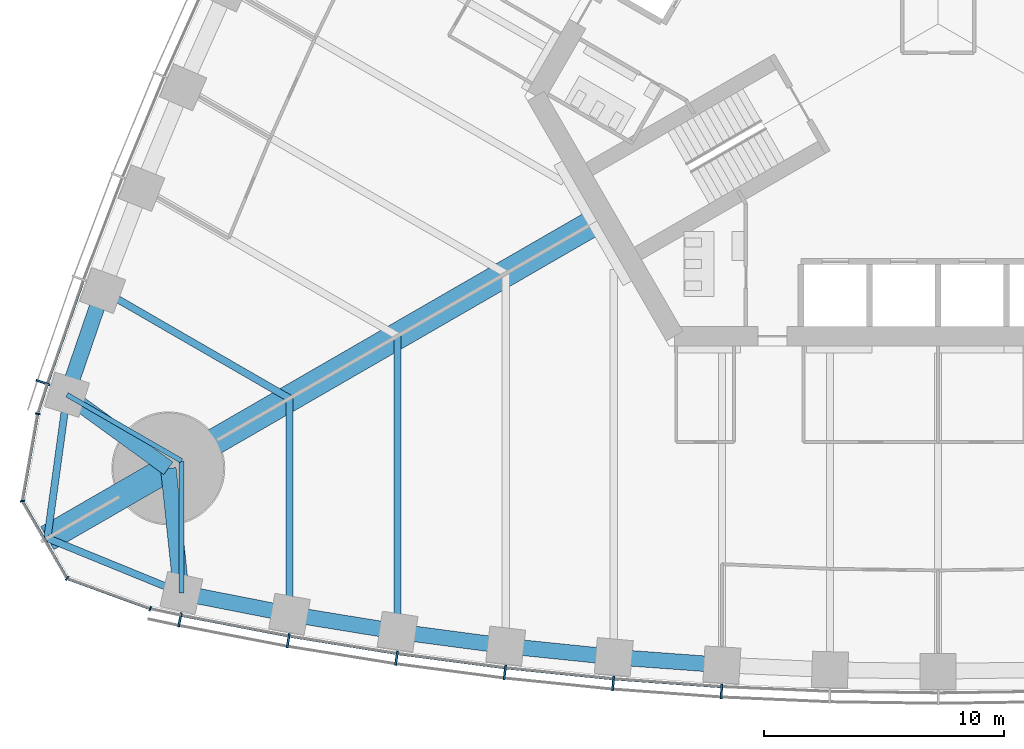
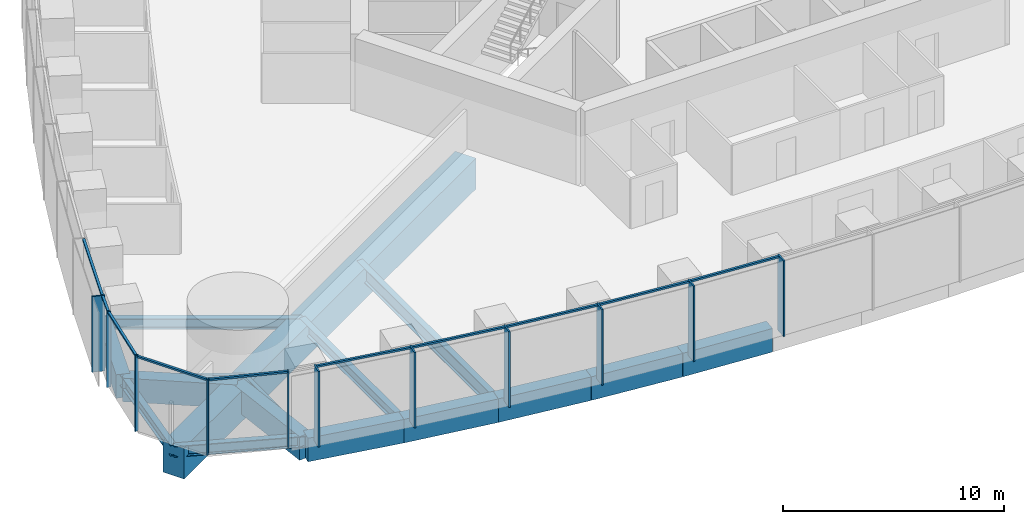
# One storey, part 2 of 19: 21 members, 17 beams, 3 elements without a shape of their own.
"""IFC4 building model written with IfcOpenShell, lengths in metres."""

from ifc_helpers import new_model, si_unit, direction, frame, origin, origin_2d, place, context, subcontext, project, spatial, rectangle, i_section, extrude, material, material_profile, profile_set, type_object, element, aggregate, save


model = new_model("IFC4")

# Units and contexts
model_context = context("Model", 3, precision=1e-05, world=origin(), true_north=direction((0.0, 1.0)))
body_context = subcontext(model_context, "Body", "Model", "MODEL_VIEW")
ifc_project = project(units=[si_unit("LENGTHUNIT", "METRE"), si_unit("AREAUNIT", "SQUARE_METRE"), si_unit("VOLUMEUNIT", "CUBIC_METRE"), si_unit("PLANEANGLEUNIT", "RADIAN"), si_unit("MASSUNIT", "GRAM", prefix="KILO")], contexts=[model_context])

# Site, building, storey
site_placement = place(None, origin())
site = spatial("IfcSite", under=ifc_project, at=site_placement, CompositionType="ELEMENT")
building_placement = place(site_placement, origin())
building = spatial("IfcBuilding", under=site, at=building_placement, Name="Trefoil Bronze Tower", CompositionType="ELEMENT")
storey_placement = place(building_placement, frame((0.0, 0.0, 20.699951171875)))
storey = spatial("IfcBuildingStorey", under=building, at=storey_placement, Name="L04", CompositionType="ELEMENT", Elevation=20.699951171875)

# Curtain wall, members
ifc_material_1 = material(Name="Tinted solar-control glass", Category="glass")
curtain_wall_type_1 = type_object("IfcCurtainWallType", Name="Bronze office curtain wall", PredefinedType="USERDEFINED", material=ifc_material_1)
curtain_wall_1_placement = place(storey_placement, origin())
curtain_wall_1 = element("IfcCurtainWall", 1, at=curtain_wall_1_placement, inside=storey, type_object=curtain_wall_type_1, Name="CW-A L04 F1", ObjectType="CURTAIN WALL", PredefinedType="USERDEFINED")
ifc_material_2 = material(Name="Bronze-finish aluminium", Category="aluminium")
ifc_material_profile_1 = material_profile(ifc_material_2, rectangle(XDim=0.60009765625, YDim=0.080078125, at=origin_2d()), Name="CW-A mullion")
ifc_profile_set_1 = profile_set([ifc_material_profile_1], Name="Bronze-finish aluminium")
member_type_1 = type_object("IfcMemberType", Name="Bronze office curtain wall mullion", PredefinedType="MULLION", material=ifc_profile_set_1)
member_1_placement = place(storey_placement, frame((-31.559326171875, -24.81005859375, 0.0), z_axis=(0.0, 0.0, 1.0), x_axis=(0.197910006829, 0.98022019424, 0.0)))
member_1 = element("IfcMember", 2, at=member_1_placement, type_object=member_type_1, Name="CW-A L04 F1 mullion 2", PredefinedType="MULLION", context=body_context, shape_type="SweptSolid", body=[
    extrude(rectangle(XDim=0.60009765625, YDim=0.080078125, at=origin_2d()), origin(), (0.0, 0.0, 1.0), 4.179931640625),
])
member_2_placement = place(storey_placement, frame((-27.05224609375, -25.67578125, 0.0), z_axis=(0.0, 0.0, 1.0), x_axis=(0.174131146426, 0.984722470468, 0.0)))
member_2 = element("IfcMember", 3, at=member_2_placement, type_object=member_type_1, Name="CW-A L04 F1 mullion 3", PredefinedType="MULLION", context=body_context, shape_type="SweptSolid", body=[
    extrude(rectangle(XDim=0.60009765625, YDim=0.080078125, at=origin_2d()), origin(), (0.0, 0.0, 1.0), 4.179931640625),
])
member_3_placement = place(storey_placement, frame((-22.54345703125, -26.40478515625, 0.0), z_axis=(0.0, 0.0, 1.0), x_axis=(0.145108990094, 0.989415676546, 0.0)))
member_3 = element("IfcMember", 4, at=member_3_placement, type_object=member_type_1, Name="CW-A L04 F1 mullion 4", PredefinedType="MULLION", context=body_context, shape_type="SweptSolid", body=[
    extrude(rectangle(XDim=0.60009765625, YDim=0.080078125, at=origin_2d()), origin(), (0.0, 0.0, 1.0), 4.179931640625),
])
member_4_placement = place(storey_placement, frame((-18.034912109375, -26.99853515625, 0.0), z_axis=(0.0, 0.0, 1.0), x_axis=(0.116086999973, 0.993239048989, 0.0)))
member_4 = element("IfcMember", 5, at=member_4_placement, type_object=member_type_1, Name="CW-A L04 F1 mullion 5", PredefinedType="MULLION", context=body_context, shape_type="SweptSolid", body=[
    extrude(rectangle(XDim=0.60009765625, YDim=0.080078125, at=origin_2d()), origin(), (0.0, 0.0, 1.0), 4.179931640625),
])
member_5_placement = place(storey_placement, frame((-13.526123046875, -27.458984375, 0.0), z_axis=(0.0, 0.0, 1.0), x_axis=(0.087065139456, 0.996202620701, 0.0)))
member_5 = element("IfcMember", 6, at=member_5_placement, type_object=member_type_1, Name="CW-A L04 F1 mullion 6", PredefinedType="MULLION", context=body_context, shape_type="SweptSolid", body=[
    extrude(rectangle(XDim=0.60009765625, YDim=0.080078125, at=origin_2d()), origin(), (0.0, 0.0, 1.0), 4.179931640625),
])
member_6_placement = place(storey_placement, frame((-9.017333984375, -27.786865234375, 0.0), z_axis=(0.0, 0.0, 1.0), x_axis=(0.058043374207, 0.998314062162, 0.0)))
member_6 = element("IfcMember", 7, at=member_6_placement, type_object=member_type_1, Name="CW-A L04 F1 mullion 7", PredefinedType="MULLION", context=body_context, shape_type="SweptSolid", body=[
    extrude(rectangle(XDim=0.60009765625, YDim=0.080078125, at=origin_2d()), origin(), (0.0, 0.0, 1.0), 4.179931640625),
])

# Curtain wall, member
curtain_wall_2_placement = place(storey_placement, origin())
curtain_wall_2 = element("IfcCurtainWall", 8, at=curtain_wall_2_placement, inside=storey, type_object=curtain_wall_type_1, Name="CW-A L04 F3", ObjectType="CURTAIN WALL", PredefinedType="USERDEFINED")
member_7_placement = place(storey_placement, frame((-37.265869140625, -14.92626953125, 0.0), z_axis=(0.0, 0.0, 1.0), x_axis=(0.947850592929, -0.318715003543, 0.0)))
member_7 = element("IfcMember", 9, at=member_7_placement, type_object=member_type_1, Name="CW-A L04 F3 mullion 16", PredefinedType="MULLION", context=body_context, shape_type="SweptSolid", body=[
    extrude(rectangle(XDim=0.60009765625, YDim=0.080078125, at=origin_2d()), origin(), (0.0, 0.0, 1.0), 4.179931640625),
])

# Member
ifc_material_3 = material(Name="Bronze-finish aluminium", Category="aluminium")
ifc_material_profile_2 = material_profile(ifc_material_3, rectangle(XDim=0.1201171875, YDim=0.10009765625, at=origin_2d()), Name="CW-A transom")
ifc_profile_set_2 = profile_set([ifc_material_profile_2], Name="Bronze-finish aluminium")
member_type_2 = type_object("IfcMemberType", Name="Bronze office curtain wall transom", PredefinedType="USERDEFINED", material=ifc_profile_set_2)
member_8_placement = place(storey_placement, frame((-31.4794921875, -24.621826171875, 4.130126953125), z_axis=(0.982053603997, -0.188602011855, 0.0), x_axis=(0.188602011855, 0.982053603997, 0.0)))
member_8 = element("IfcMember", 10, at=member_8_placement, type_object=member_type_2, Name="CW-A L04 F1 transom 2", ObjectType="TRANSOM", PredefinedType="USERDEFINED", context=body_context, shape_type="SweptSolid", body=[
    extrude(rectangle(XDim=0.1201171875, YDim=0.10009765625, at=origin_2d()), origin(), (0.0, 0.0, 1.0), 4.502197265625),
])

member_9_placement = place(storey_placement, frame((-26.9765625, -25.4853515625, 4.130126953125), z_axis=(0.987179401487, -0.159614627398, 0.0), x_axis=(0.159614627398, 0.987179401487, 0.0)))
member_9 = element("IfcMember", 11, at=member_9_placement, type_object=member_type_2, Name="CW-A L04 F1 transom 3", ObjectType="TRANSOM", PredefinedType="USERDEFINED", context=body_context, shape_type="SweptSolid", body=[
    extrude(rectangle(XDim=0.1201171875, YDim=0.10009765625, at=origin_2d()), origin(), (0.0, 0.0, 1.0), 4.478515625),
])

member_10_placement = place(storey_placement, frame((-22.473388671875, -26.212158203125, 4.130126953125), z_axis=(0.991436581643, -0.13058906761, 0.0), x_axis=(0.13058906761, 0.991436581643, 0.0)))
member_10 = element("IfcMember", 12, at=member_10_placement, type_object=member_type_2, Name="CW-A L04 F1 transom 4", ObjectType="TRANSOM", PredefinedType="USERDEFINED", context=body_context, shape_type="SweptSolid", body=[
    extrude(rectangle(XDim=0.1201171875, YDim=0.10009765625, at=origin_2d()), origin(), (0.0, 0.0, 1.0), 4.458740234375),
])

member_11_placement = place(storey_placement, frame((-17.970458984375, -26.80419921875, 4.130126953125), z_axis=(0.994831650915, -0.101538102888, 0.0), x_axis=(0.101538102888, 0.994831650915, 0.0)))
member_11 = element("IfcMember", 13, at=member_11_placement, type_object=member_type_2, Name="CW-A L04 F1 transom 5", ObjectType="TRANSOM", PredefinedType="USERDEFINED", context=body_context, shape_type="SweptSolid", body=[
    extrude(rectangle(XDim=0.1201171875, YDim=0.10009765625, at=origin_2d()), origin(), (0.0, 0.0, 1.0), 4.443359375),
])

member_12_placement = place(storey_placement, frame((-13.46728515625, -27.2626953125, 4.130126953125), z_axis=(0.997364729945, -0.07255064067, 0.0), x_axis=(0.07255064067, 0.997364729945, 0.0)))
member_12 = element("IfcMember", 14, at=member_12_placement, type_object=member_type_2, Name="CW-A L04 F1 transom 6", ObjectType="TRANSOM", PredefinedType="USERDEFINED", context=body_context, shape_type="SweptSolid", body=[
    extrude(rectangle(XDim=0.1201171875, YDim=0.10009765625, at=origin_2d()), origin(), (0.0, 0.0, 1.0), 4.431884765625),
])

aggregate(curtain_wall_1, [member_1, member_2, member_3, member_4, member_5, member_6, member_8, member_9, member_10, member_11, member_12])

member_13_placement = place(storey_placement, frame((-35.587646484375, -10.697509765625, 4.130126953125), z_axis=(-0.327689728493, -0.944785394595, 0.0), x_axis=(0.944785394595, -0.327689728493, 0.0)))
member_13 = element("IfcMember", 15, at=member_13_placement, type_object=member_type_2, Name="CW-A L04 F3 transom 15", ObjectType="TRANSOM", PredefinedType="USERDEFINED", context=body_context, shape_type="SweptSolid", body=[
    extrude(rectangle(XDim=0.1201171875, YDim=0.10009765625, at=origin_2d()), origin(), (0.0, 0.0, 1.0), 4.502197265625),
])

member_14_placement = place(storey_placement, frame((-37.089111328125, -15.02880859375, 4.130126953125), z_axis=(-0.309624219148, -0.950859002648, 0.0), x_axis=(0.950859002648, -0.309624219148, 0.0)))
member_14 = element("IfcMember", 16, at=member_14_placement, type_object=member_type_2, Name="CW-A L04 F3 transom 16", ObjectType="TRANSOM", PredefinedType="USERDEFINED", context=body_context, shape_type="SweptSolid", body=[
    extrude(rectangle(XDim=0.1201171875, YDim=0.10009765625, at=origin_2d()), origin(), (0.0, 0.0, 1.0), 1.21044921875),
])

aggregate(curtain_wall_2, [member_7, member_13, member_14])

# Curtain wall, members
ifc_material_4 = material(Name="Tinted solar-control glass", Category="glass")
curtain_wall_type_2 = type_object("IfcCurtainWallType", Name="Bronze rounded corner curtain wall", PredefinedType="USERDEFINED", material=ifc_material_4)
curtain_wall_3_placement = place(storey_placement, origin())
curtain_wall_3 = element("IfcCurtainWall", 17, at=curtain_wall_3_placement, inside=storey, type_object=curtain_wall_type_2, Name="CW-B L04 K3", ObjectType="CURTAIN WALL", PredefinedType="USERDEFINED")
ifc_material_5 = material(Name="Bronze-finish aluminium", Category="aluminium")
ifc_material_profile_3 = material_profile(ifc_material_5, rectangle(XDim=0.199951171875, YDim=0.06005859375, at=origin_2d()), Name="CW-B mullion")
ifc_profile_set_3 = profile_set([ifc_material_profile_3], Name="Bronze-finish aluminium")
member_type_3 = type_object("IfcMemberType", Name="Bronze rounded corner curtain wall mullion", PredefinedType="MULLION", material=ifc_profile_set_3)
member_15_placement = place(storey_placement, frame((-37.479736328125, -16.2314453125, 0.0), z_axis=(0.0, 0.0, 1.0), x_axis=(0.984807753012, -0.173648177667, 0.0)))
member_15 = element("IfcMember", 18, at=member_15_placement, type_object=member_type_3, Name="CW-B L04 K3 mullion 1", PredefinedType="MULLION", context=body_context, shape_type="SweptSolid", body=[
    extrude(rectangle(XDim=0.199951171875, YDim=0.06005859375, at=origin_2d()), origin(), (0.0, 0.0, 1.0), 4.179931640625),
])
member_16_placement = place(storey_placement, frame((-38.11328125, -19.85888671875, 0.0), z_axis=(0.0, 0.0, 1.0), x_axis=(0.984807753012, 0.173648177667, 0.0)))
member_16 = element("IfcMember", 19, at=member_16_placement, type_object=member_type_3, Name="CW-B L04 K3 mullion 2", PredefinedType="MULLION", context=body_context, shape_type="SweptSolid", body=[
    extrude(rectangle(XDim=0.199951171875, YDim=0.06005859375, at=origin_2d()), origin(), (0.0, 0.0, 1.0), 4.179931640625),
])
member_17_placement = place(storey_placement, frame((-36.2548828125, -23.07763671875, 0.0), z_axis=(0.0, 0.0, 1.0), x_axis=(0.642787609687, 0.766044443119, 0.0)))
member_17 = element("IfcMember", 20, at=member_17_placement, type_object=member_type_3, Name="CW-B L04 K3 mullion 3", PredefinedType="MULLION", context=body_context, shape_type="SweptSolid", body=[
    extrude(rectangle(XDim=0.199951171875, YDim=0.06005859375, at=origin_2d()), origin(), (0.0, 0.0, 1.0), 4.179931640625),
])
member_18_placement = place(storey_placement, frame((-32.796630859375, -24.3427734375, 0.0), z_axis=(0.0, 0.0, 1.0), x_axis=(0.342020143326, 0.939692620786, 0.0)))
member_18 = element("IfcMember", 21, at=member_18_placement, type_object=member_type_3, Name="CW-B L04 K3 mullion 4", PredefinedType="MULLION", context=body_context, shape_type="SweptSolid", body=[
    extrude(rectangle(XDim=0.199951171875, YDim=0.06005859375, at=origin_2d()), origin(), (0.0, 0.0, 1.0), 4.179931640625),
])
ifc_material_6 = material(Name="Bronze-finish aluminium", Category="aluminium")
ifc_material_profile_4 = material_profile(ifc_material_6, rectangle(XDim=0.1201171875, YDim=0.10009765625, at=origin_2d()), Name="CW-B transom")
ifc_profile_set_4 = profile_set([ifc_material_profile_4], Name="Bronze-finish aluminium")
member_type_4 = type_object("IfcMemberType", Name="Bronze rounded corner curtain wall transom", PredefinedType="USERDEFINED", material=ifc_profile_set_4)
member_19_placement = place(storey_placement, frame((-37.48486328125, -16.260986328125, 4.130126953125), z_axis=(-0.17363783606, -0.984809576461, 0.0), x_axis=(0.984809576461, -0.17363783606, 0.0)))
member_19 = element("IfcMember", 22, at=member_19_placement, type_object=member_type_4, Name="CW-B L04 K3 transom 1", ObjectType="TRANSOM", PredefinedType="USERDEFINED", context=body_context, shape_type="SweptSolid", body=[
    extrude(rectangle(XDim=0.1201171875, YDim=0.10009765625, at=origin_2d()), origin(), (0.0, 0.0, 1.0), 3.588134765625),
])
member_20_placement = place(storey_placement, frame((-38.08642578125, -19.91748046875, 4.130126953125), z_axis=(0.500024788772, -0.866011091507, 0.0), x_axis=(0.866011091507, 0.500024788772, 0.0)))
member_20 = element("IfcMember", 23, at=member_20_placement, type_object=member_type_4, Name="CW-B L04 K3 transom 2", ObjectType="TRANSOM", PredefinedType="USERDEFINED", context=body_context, shape_type="SweptSolid", body=[
    extrude(rectangle(XDim=0.1201171875, YDim=0.10009765625, at=origin_2d()), origin(), (0.0, 0.0, 1.0), 3.588134765625),
])
member_21_placement = place(storey_placement, frame((-36.196533203125, -23.105224609375, 4.130126953125), z_axis=(0.939688092095, -0.342032585545, 0.0), x_axis=(0.342032585545, 0.939688092095, 0.0)))
member_21 = element("IfcMember", 24, at=member_21_placement, type_object=member_type_4, Name="CW-B L04 K3 transom 3", ObjectType="TRANSOM", PredefinedType="USERDEFINED", context=body_context, shape_type="SweptSolid", body=[
    extrude(rectangle(XDim=0.1201171875, YDim=0.10009765625, at=origin_2d()), origin(), (0.0, 0.0, 1.0), 3.588134765625),
])
aggregate(curtain_wall_3, [member_15, member_16, member_17, member_18, member_19, member_20, member_21])

# Beams
ifc_material_7 = material(Name="Concrete B80", Category="concrete")
ifc_material_profile_5 = material_profile(ifc_material_7, rectangle(XDim=1.10009765625, YDim=1.699951171875, at=origin_2d()), Name="RC 1100x1700")
ifc_profile_set_5 = profile_set([ifc_material_profile_5], Name="Concrete B80")
beam_type_1 = type_object("IfcBeamType", Name="Corner cantilever RC 1100x1700", PredefinedType="BEAM", material=ifc_profile_set_5)
beam_1_placement = place(storey_placement, frame((-32.04296875, -18.5, -1.050048828125), z_axis=(-0.866030348588, -0.499991435252, 0.0), x_axis=(0.499991435252, -0.866030348588, 0.0)))
element("IfcBeam", 25, at=beam_1_placement, inside=storey, type_object=beam_type_1, Name="Corner cantilever K3 L04", PredefinedType="BEAM", context=body_context, shape_type="SweptSolid", body=[
    extrude(rectangle(XDim=1.10009765625, YDim=1.699951171875, at=origin_2d()), origin(), (0.0, 0.0, 1.0), 5.81396484375),
])
ifc_material_8 = material(Name="Steel C355", Category="steel")
ifc_material_profile_6 = material_profile(ifc_material_8, i_section(OverallWidth=0.300048828125, OverallDepth=0.60009765625, WebThickness=0.015380859375, FlangeThickness=0.030029296875, FilletRadius=0.027099609375, at=origin_2d()), Name="HEB 600")
ifc_profile_set_6 = profile_set([ifc_material_profile_6], Name="Steel C355")
beam_type_2 = type_object("IfcBeamType", Name="Corner edge beam HEB 600", PredefinedType="BEAM", material=ifc_profile_set_6)
beam_2_placement = place(storey_placement, frame((-31.5, -23.684814453125, -0.5), z_axis=(-0.925786874353, 0.378045848114, 0.0), x_axis=(-0.378045848114, -0.925786874353, 0.0)))
element("IfcBeam", 26, at=beam_2_placement, inside=storey, type_object=beam_type_2, Name="Corner edge beam F1B L04", PredefinedType="BEAM", context=body_context, shape_type="SweptSolid", body=[
    extrude(i_section(OverallWidth=0.300048828125, OverallDepth=0.60009765625, WebThickness=0.015380859375, FlangeThickness=0.030029296875, FilletRadius=0.027099609375, at=origin_2d()), origin(), (0.0, 0.0, 1.0), 6.025390625),
])
beam_3_placement = place(storey_placement, frame((-36.26171875, -15.4375, -0.5), z_axis=(-0.13550196505, -0.990777077585, 0.0), x_axis=(0.990777077585, -0.13550196505, 0.0)))
element("IfcBeam", 27, at=beam_3_placement, inside=storey, type_object=beam_type_2, Name="Corner edge beam F3A L04", PredefinedType="BEAM", context=body_context, shape_type="SweptSolid", body=[
    extrude(i_section(OverallWidth=0.300048828125, OverallDepth=0.60009765625, WebThickness=0.015380859375, FlangeThickness=0.030029296875, FilletRadius=0.027099609375, at=origin_2d()), origin(), (0.0, 0.0, 1.0), 6.025146484375),
])
ifc_material_9 = material(Name="Concrete B80", Category="concrete")
ifc_material_profile_7 = material_profile(ifc_material_9, rectangle(XDim=1.10009765625, YDim=1.699951171875, at=origin_2d()), Name="RC 1100x1700")
ifc_profile_set_7 = profile_set([ifc_material_profile_7], Name="Concrete B80")
beam_type_3 = type_object("IfcBeamType", Name="Corner girder RC 1100x1700", PredefinedType="BEAM", material=ifc_profile_set_7)
beam_4_placement = place(storey_placement, frame((-14.202880859375, -8.199951171875, -1.050048828125), z_axis=(-0.866023947468, -0.500002522405, 0.0), x_axis=(0.500002522405, -0.866023947468, 0.0)))
element("IfcBeam", 28, at=beam_4_placement, inside=storey, type_object=beam_type_3, Name="Corner girder K3 L04", PredefinedType="BEAM", context=body_context, shape_type="SweptSolid", body=[
    extrude(rectangle(XDim=1.10009765625, YDim=1.699951171875, at=origin_2d()), origin(), (0.0, 0.0, 1.0), 20.60009765625),
])
ifc_material_10 = material(Name="Concrete B80", Category="concrete")
ifc_material_profile_8 = material_profile(ifc_material_10, rectangle(XDim=0.64990234375, YDim=1.300048828125, at=origin_2d()), Name="RC 650x1300")
ifc_profile_set_8 = profile_set([ifc_material_profile_8], Name="Concrete B80")
beam_type_4 = type_object("IfcBeamType", Name="End spandrel beam RC 650x1300", PredefinedType="SPANDREL", material=ifc_profile_set_8)
for number, where, z_axis, x_axis, name in (
    (29, (-32.04296875, -18.5, -0.849853515625), (0.104153327908, -0.994561252154, 0.0), (0.994561252154, 0.104153327908, 0.0), "Spandrel F1.1 L04"),
    (30, (-36.26171875, -15.4375, -0.849853515625), (0.809254211267, -0.587458612624, 0.0), (0.587458612624, 0.809254211267, 0.0), "Spandrel F3.16 L04"),
):
    element("IfcBeam", number, at=place(storey_placement, frame(where, z_axis=z_axis, x_axis=x_axis)), inside=storey, type_object=beam_type_4, Name=name, PredefinedType="SPANDREL", context=body_context, shape_type="SweptSolid", body=[
        extrude(rectangle(XDim=0.64990234375, YDim=1.300048828125, at=origin_2d()), origin(), (0.0, 0.0, 1.0), 5.213134765625),
    ])
ifc_material_11 = material(Name="Steel C355", Category="steel")
ifc_material_profile_9 = material_profile(ifc_material_11, i_section(OverallWidth=0.300048828125, OverallDepth=0.590087890625, WebThickness=0.012939453125, FlangeThickness=0.02490234375, FilletRadius=0.027099609375, at=origin_2d()), Name="HEA 600")
ifc_profile_set_9 = profile_set([ifc_material_profile_9], Name="Steel C355")
beam_type_5 = type_object("IfcBeamType", Name="Floor beam HEA 600", PredefinedType="BEAM", material=ifc_profile_set_9)
for number, where, z_axis, x_axis, name in (
    (31, (-27.0, -24.56787109375, -0.494873046875), (0.0, 1.0, 0.0), (-1.0, 0.0, 0.0), "Floor beam F1/-6 L04"),
    (32, (-34.7763671875, -11.0986328125, -0.494873046875), (0.866022587327, -0.500004878216, 0.0), (0.500004878216, 0.866022587327, 0.0), "Floor beam F3/+6 L04"),
):
    element("IfcBeam", number, at=place(storey_placement, frame(where, z_axis=z_axis, x_axis=x_axis)), inside=storey, type_object=beam_type_5, Name=name, PredefinedType="BEAM", context=body_context, shape_type="SweptSolid", body=[
        extrude(i_section(OverallWidth=0.300048828125, OverallDepth=0.590087890625, WebThickness=0.012939453125, FlangeThickness=0.02490234375, FilletRadius=0.027099609375, at=origin_2d()), origin(), (0.0, 0.0, 1.0), 8.9794921875),
    ])
ifc_material_12 = material(Name="Steel C355", Category="steel")
ifc_material_profile_10 = material_profile(ifc_material_12, i_section(OverallWidth=0.300048828125, OverallDepth=0.800048828125, WebThickness=0.017578125, FlangeThickness=0.032958984375, FilletRadius=0.030029296875, at=origin_2d()), Name="HEB 800")
ifc_profile_set_10 = profile_set([ifc_material_profile_10], Name="Steel C355")
beam_type_6 = type_object("IfcBeamType", Name="Floor beam HEB 800", PredefinedType="BEAM", material=ifc_profile_set_10)
beam_5_placement = place(storey_placement, frame((-22.5, -25.29931640625, -0.599853515625), z_axis=(0.0, 1.0, 0.0), x_axis=(-1.0, 0.0, 0.0)))
element("IfcBeam", 33, at=beam_5_placement, inside=storey, type_object=beam_type_6, Name="Floor beam F1/-5 L04", PredefinedType="BEAM", context=body_context, shape_type="SweptSolid", body=[
    extrude(i_section(OverallWidth=0.300048828125, OverallDepth=0.800048828125, WebThickness=0.017578125, FlangeThickness=0.032958984375, FilletRadius=0.030029296875, at=origin_2d()), origin(), (0.0, 0.0, 1.0), 12.308837890625),
])
ifc_material_13 = material(Name="Steel C355", Category="steel")
ifc_material_profile_11 = material_profile(ifc_material_13, i_section(OverallWidth=0.199951171875, OverallDepth=0.5, WebThickness=0.01025390625, FlangeThickness=0.01611328125, FilletRadius=0.02099609375, at=origin_2d()), Name="IPE 500")
ifc_profile_set_11 = profile_set([ifc_material_profile_11], Name="Steel C355")
beam_type_7 = type_object("IfcBeamType", Name="Floor beam IPE 500", PredefinedType="BEAM", material=ifc_profile_set_11)
for number, where, z_axis, x_axis, name in (
    (34, (-31.5, -23.684814453125, -0.449951171875), (0.0, 1.0, 0.0), (-1.0, 0.0, 0.0), "Floor beam F1/-7 L04"),
    (35, (-36.26171875, -15.4375, -0.449951171875), (0.866037702141, -0.499978698016, 0.0), (0.499978698016, 0.866037702141, 0.0), "Floor beam F3/+7 L04"),
):
    element("IfcBeam", number, at=place(storey_placement, frame(where, z_axis=z_axis, x_axis=x_axis)), inside=storey, type_object=beam_type_7, Name=name, PredefinedType="BEAM", context=body_context, shape_type="SweptSolid", body=[
        extrude(i_section(OverallWidth=0.199951171875, OverallDepth=0.5, WebThickness=0.01025390625, FlangeThickness=0.01611328125, FilletRadius=0.02099609375, at=origin_2d()), origin(), (0.0, 0.0, 1.0), 5.498291015625),
    ])
ifc_material_14 = material(Name="Concrete B80", Category="concrete")
ifc_material_profile_12 = material_profile(ifc_material_14, rectangle(XDim=0.64990234375, YDim=1.300048828125, at=origin_2d()), Name="RC 650x1300")
ifc_profile_set_12 = profile_set([ifc_material_profile_12], Name="Concrete B80")
beam_type_8 = type_object("IfcBeamType", Name="Spandrel beam RC 650x1300", PredefinedType="SPANDREL", material=ifc_profile_set_12)
beam_6_placement = place(storey_placement, frame((-31.5, -23.684814453125, -0.849853515625), z_axis=(0.981284764092, -0.192562228283, 0.0), x_axis=(0.192562228283, 0.981284764092, 0.0)))
element("IfcBeam", 36, at=beam_6_placement, inside=storey, type_object=beam_type_8, Name="Spandrel F1.2 L04", PredefinedType="SPANDREL", context=body_context, shape_type="SweptSolid", body=[
    extrude(rectangle(XDim=0.64990234375, YDim=1.300048828125, at=origin_2d()), origin(), (0.0, 0.0, 1.0), 4.5859375),
])
beam_7_placement = place(storey_placement, frame((-27.0, -24.56787109375, -0.849853515625), z_axis=(0.987045951254, -0.160437807615, 0.0), x_axis=(0.160437807615, 0.987045951254, 0.0)))
element("IfcBeam", 37, at=beam_7_placement, inside=storey, type_object=beam_type_8, Name="Spandrel F1.3 L04", PredefinedType="SPANDREL", context=body_context, shape_type="SweptSolid", body=[
    extrude(rectangle(XDim=0.64990234375, YDim=1.300048828125, at=origin_2d()), origin(), (0.0, 0.0, 1.0), 4.55908203125),
])
beam_8_placement = place(storey_placement, frame((-22.5, -25.29931640625, -0.849853515625), z_axis=(0.991344474846, -0.131286450906, 0.0), x_axis=(0.131286450906, 0.991344474846, 0.0)))
element("IfcBeam", 38, at=beam_8_placement, inside=storey, type_object=beam_type_8, Name="Spandrel F1.4 L04", PredefinedType="SPANDREL", context=body_context, shape_type="SweptSolid", body=[
    extrude(rectangle(XDim=0.64990234375, YDim=1.300048828125, at=origin_2d()), origin(), (0.0, 0.0, 1.0), 4.539306640625),
])
beam_9_placement = place(storey_placement, frame((-18.0, -25.895263671875, -0.849853515625), z_axis=(0.994778488621, -0.102057623805, 0.0), x_axis=(0.102057623805, 0.994778488621, 0.0)))
element("IfcBeam", 39, at=beam_9_placement, inside=storey, type_object=beam_type_8, Name="Spandrel F1.5 L04", PredefinedType="SPANDREL", context=body_context, shape_type="SweptSolid", body=[
    extrude(rectangle(XDim=0.64990234375, YDim=1.300048828125, at=origin_2d()), origin(), (0.0, 0.0, 1.0), 4.523681640625),
])
beam_10_placement = place(storey_placement, frame((-13.5, -26.35693359375, -0.849853515625), z_axis=(0.997336412354, -0.072938882588, 0.0), x_axis=(0.072938882588, 0.997336412354, 0.0)))
element("IfcBeam", 40, at=beam_10_placement, inside=storey, type_object=beam_type_8, Name="Spandrel F1.6 L04", PredefinedType="SPANDREL", context=body_context, shape_type="SweptSolid", body=[
    extrude(rectangle(XDim=0.64990234375, YDim=1.300048828125, at=origin_2d()), origin(), (0.0, 0.0, 1.0), 4.511962890625),
])
beam_11_placement = place(storey_placement, frame((-34.7763671875, -11.0986328125, -0.849853515625), z_axis=(-0.323883319148, -0.946097032855, 0.0), x_axis=(0.946097032855, -0.323883319148, 0.0)))
element("IfcBeam", 41, at=beam_11_placement, inside=storey, type_object=beam_type_8, Name="Spandrel F3.15 L04", PredefinedType="SPANDREL", context=body_context, shape_type="SweptSolid", body=[
    extrude(rectangle(XDim=0.64990234375, YDim=1.300048828125, at=origin_2d()), origin(), (0.0, 0.0, 1.0), 4.586181640625),
])

save(model, "model.ifc")
